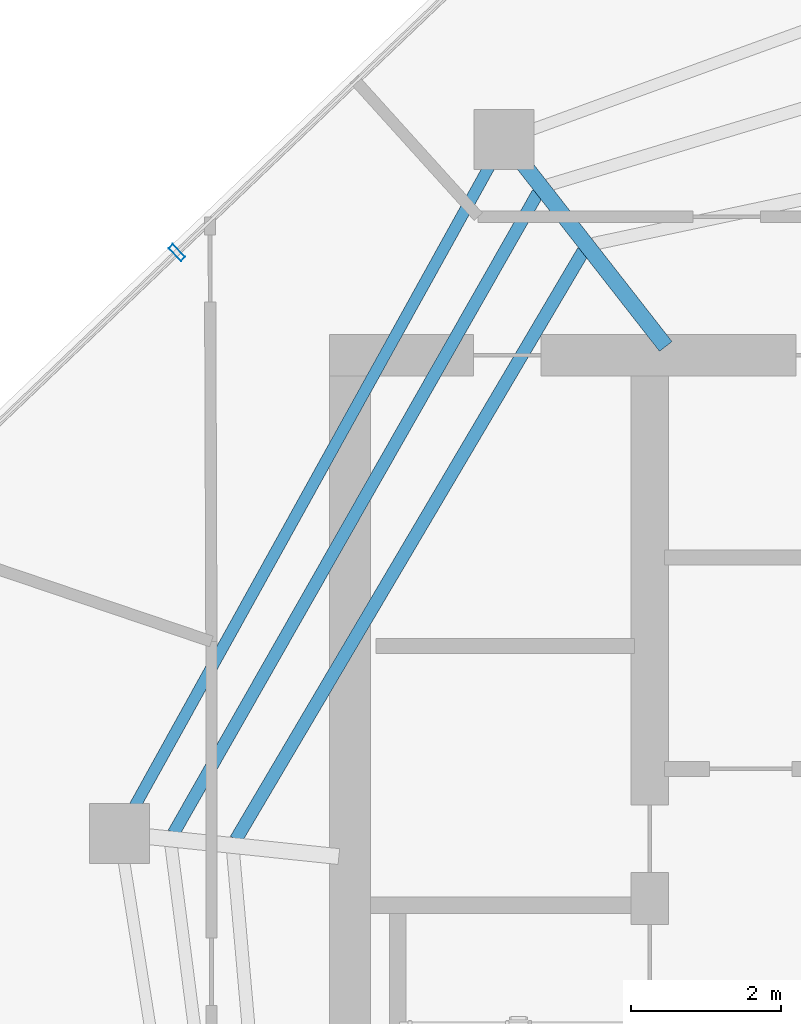
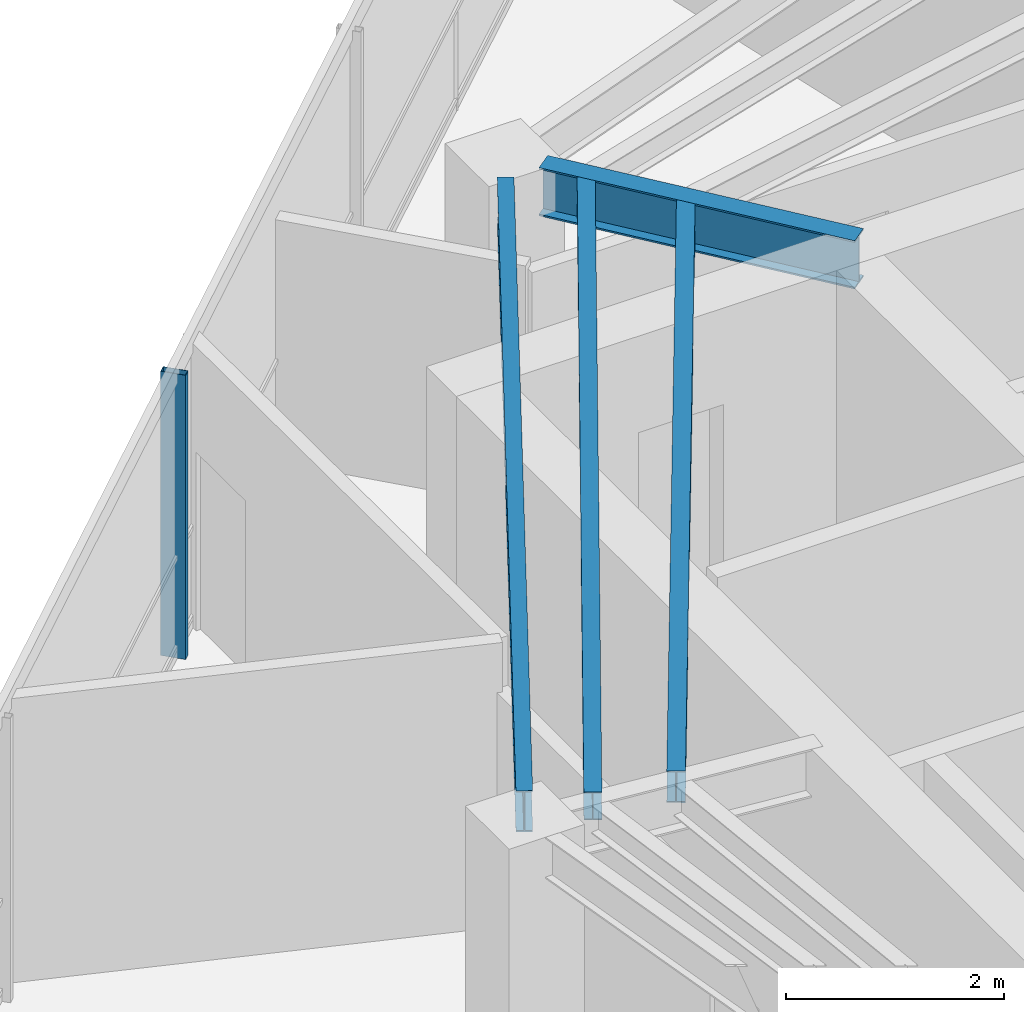
# One storey, part 6 of 19: 4 beams, 1 member, 1 element without a shape of its own.
"""IFC4 building model written with IfcOpenShell, lengths in metres."""

from ifc_helpers import new_model, si_unit, direction, frame, origin, origin_2d, place, context, subcontext, project, spatial, hollow_rectangle, i_section, extrude, material, layer, layer_set, material_profile, profile_set, type_object, element, aggregate, save


model = new_model("IFC4")

# Units and contexts
model_context = context("Model", 3, precision=1e-05, world=origin(), true_north=direction((0.0, 1.0)))
body_context = subcontext(model_context, "Body", "Model", "MODEL_VIEW")
ifc_project = project(units=[si_unit("LENGTHUNIT", "METRE"), si_unit("AREAUNIT", "SQUARE_METRE"), si_unit("VOLUMEUNIT", "CUBIC_METRE"), si_unit("PLANEANGLEUNIT", "RADIAN"), si_unit("MASSUNIT", "GRAM", prefix="KILO")], contexts=[model_context])

# Site, building, storey
site_placement = place(None, origin())
site = spatial("IfcSite", under=ifc_project, at=site_placement, CompositionType="ELEMENT")
building_placement = place(site_placement, origin())
building = spatial("IfcBuilding", under=site, at=building_placement, Name="Qarnah Convention Tower", CompositionType="ELEMENT")
storey_placement = place(building_placement, frame((0.0, 0.0, 231.89990234375)))
storey = spatial("IfcBuildingStorey", under=building, at=storey_placement, Name="L62", CompositionType="ELEMENT", Elevation=231.89990234375)

# Beams
ifc_material_1 = material(Name="Structural steel S355JR", Category="steel")
ifc_material_profile_1 = material_profile(ifc_material_1, i_section(OverallWidth=0.166015625, OverallDepth=0.31201171875, WebThickness=0.007080078125, FlangeThickness=0.010986328125, at=origin_2d()), Name="W310X45")
ifc_profile_set_1 = profile_set([ifc_material_profile_1], Name="Structural steel S355JR")
beam_type_1 = type_object("IfcBeamType", Name="BM-JST-W310", PredefinedType="JOIST", material=ifc_profile_set_1)
beam_1_placement = place(storey_placement, frame((29.30810546875, 36.366943359375, 3.024169921875), z_axis=(-0.494589589693, -0.869126652317, 0.0), x_axis=(0.869126652317, -0.494589589693, 0.0)))
element("IfcBeam", 1, at=beam_1_placement, inside=storey, type_object=beam_type_1, Name="L62 joist BM-L62-SJST-04", PredefinedType="JOIST", context=body_context, shape_type="SweptSolid", body=[
    extrude(i_section(OverallWidth=0.166015625, OverallDepth=0.31201171875, WebThickness=0.007080078125, FlangeThickness=0.010986328125, at=origin_2d()), origin(), (0.0, 0.0, 1.0), 9.83056640625),
])
ifc_material_profile_2 = material_profile(ifc_material_1, i_section(OverallWidth=0.172119140625, OverallDepth=0.35595703125, WebThickness=0.007080078125, FlangeThickness=0.011962890625, at=origin_2d()), Name="W360X51")
ifc_profile_set_2 = profile_set([ifc_material_profile_2], Name="Structural steel S355JR")
beam_type_2 = type_object("IfcBeamType", Name="BM-JST-W360", PredefinedType="JOIST", material=ifc_profile_set_2)
beam_2_placement = place(storey_placement, frame((29.9140625, 35.590087890625, 3.002197265625), z_axis=(-0.508401010796, -0.861120440021, 0.0), x_axis=(0.861120440021, -0.508401010796, 0.0)))
element("IfcBeam", 2, at=beam_2_placement, inside=storey, type_object=beam_type_2, Name="L62 joist BM-L62-IJST-04", PredefinedType="JOIST", context=body_context, shape_type="SweptSolid", body=[
    extrude(i_section(OverallWidth=0.172119140625, OverallDepth=0.35595703125, WebThickness=0.007080078125, FlangeThickness=0.011962890625, at=origin_2d()), origin(), (0.0, 0.0, 1.0), 9.12060546875),
])
ifc_material_profile_3 = material_profile(ifc_material_1, i_section(OverallWidth=0.2119140625, OverallDepth=0.5400390625, WebThickness=0.011962890625, FlangeThickness=0.01904296875, at=origin_2d()), Name="W530X109")
ifc_profile_set_3 = profile_set([ifc_material_profile_3], Name="Structural steel S355JR")
beam_type_3 = type_object("IfcBeamType", Name="BM-RAD-W530A", PredefinedType="BEAM", material=ifc_profile_set_3)
beam_3_placement = place(storey_placement, frame((31.013916015625, 34.318115234375, 2.91015625), z_axis=(-0.61549837076, 0.78813815768, 0.0), x_axis=(-0.78813815768, -0.61549837076, 0.0)))
element("IfcBeam", 3, at=beam_3_placement, inside=storey, type_object=beam_type_3, Name="L62 beam BM-L62-RAD-04", PredefinedType="BEAM", context=body_context, shape_type="SweptSolid", body=[
    extrude(i_section(OverallWidth=0.2119140625, OverallDepth=0.5400390625, WebThickness=0.011962890625, FlangeThickness=0.01904296875, at=origin_2d()), origin(), (0.0, 0.0, 1.0), 3.12255859375),
])
ifc_material_profile_4 = material_profile(ifc_material_1, i_section(OverallWidth=0.154052734375, OverallDepth=0.4599609375, WebThickness=0.009033203125, FlangeThickness=0.014892578125, at=origin_2d()), Name="W460X68")
ifc_profile_set_4 = profile_set([ifc_material_profile_4], Name="Structural steel S355JR")
beam_type_4 = type_object("IfcBeamType", Name="BM-SPN-W460B", PredefinedType="SPANDREL", material=ifc_profile_set_4)
beam_4_placement = place(storey_placement, frame((28.6689453125, 36.737060546875, 2.9501953125), z_axis=(-0.48479748752, -0.87462643231, 0.0), x_axis=(0.87462643231, -0.48479748752, 0.0)))
element("IfcBeam", 4, at=beam_4_placement, inside=storey, type_object=beam_type_4, Name="L62 spandrel BM-L62-SPN-04", PredefinedType="SPANDREL", context=body_context, shape_type="SweptSolid", body=[
    extrude(i_section(OverallWidth=0.154052734375, OverallDepth=0.4599609375, WebThickness=0.009033203125, FlangeThickness=0.014892578125, at=origin_2d()), origin(), (0.0, 0.0, 1.0), 9.81005859375),
])

# Curtain wall, member
ifc_material_2 = material(Name="Tempered Low-E dark glass", Category="glass")
ifc_layer = layer(ifc_material_2, 0.176025390625)
ifc_layer_set = layer_set([ifc_layer], Name="Tempered Low-E dark glass")
curtain_wall_type = type_object("IfcCurtainWallType", Name="CWS-05", PredefinedType="NOTDEFINED", material=ifc_layer_set)
curtain_wall_placement = place(storey_placement, origin())
curtain_wall = element("IfcCurtainWall", 5, at=curtain_wall_placement, inside=storey, type_object=curtain_wall_type, Name="L62 unitised curtain wall CW-L62-F1", PredefinedType="NOTDEFINED")
ifc_material_3 = material(Name="Black anodised aluminium", Category="aluminium")
ifc_material_profile_5 = material_profile(ifc_material_3, hollow_rectangle(XDim=0.080078125, YDim=0.239990234375, WallThickness=0.0048828125, at=origin_2d()), Name="MUL-80X240")
ifc_profile_set_5 = profile_set([ifc_material_profile_5], Name="Black anodised aluminium")
member_type = type_object("IfcMemberType", Name="MUL-T5", PredefinedType="MULLION", material=ifc_profile_set_5)
member_placement = place(storey_placement, frame((24.490478515625, 35.571533203125, 0.0), z_axis=(0.0, 0.0, 1.0), x_axis=(0.723193439015, 0.6906455312, 0.0)))
member = element("IfcMember", 6, at=member_placement, type_object=member_type, Name="CW-L62-F1 mullion 3", PredefinedType="MULLION", context=body_context, shape_type="SweptSolid", body=[
    extrude(hollow_rectangle(XDim=0.080078125, YDim=0.239990234375, WallThickness=0.0048828125, at=origin_2d()), origin(), (0.0, 0.0, 1.0), 3.18017578125),
])
aggregate(curtain_wall, [member])

save(model, "model.ifc")
